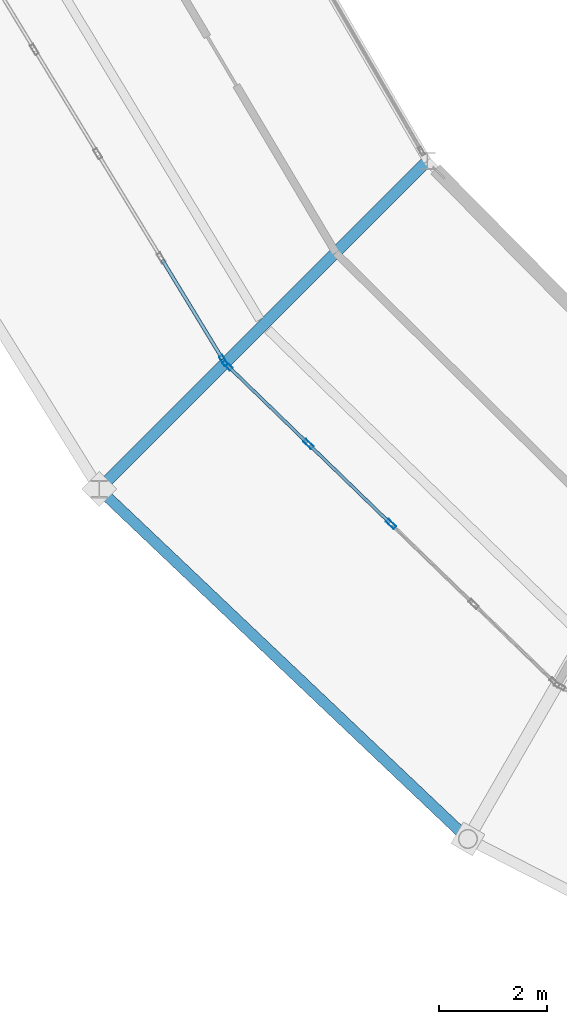
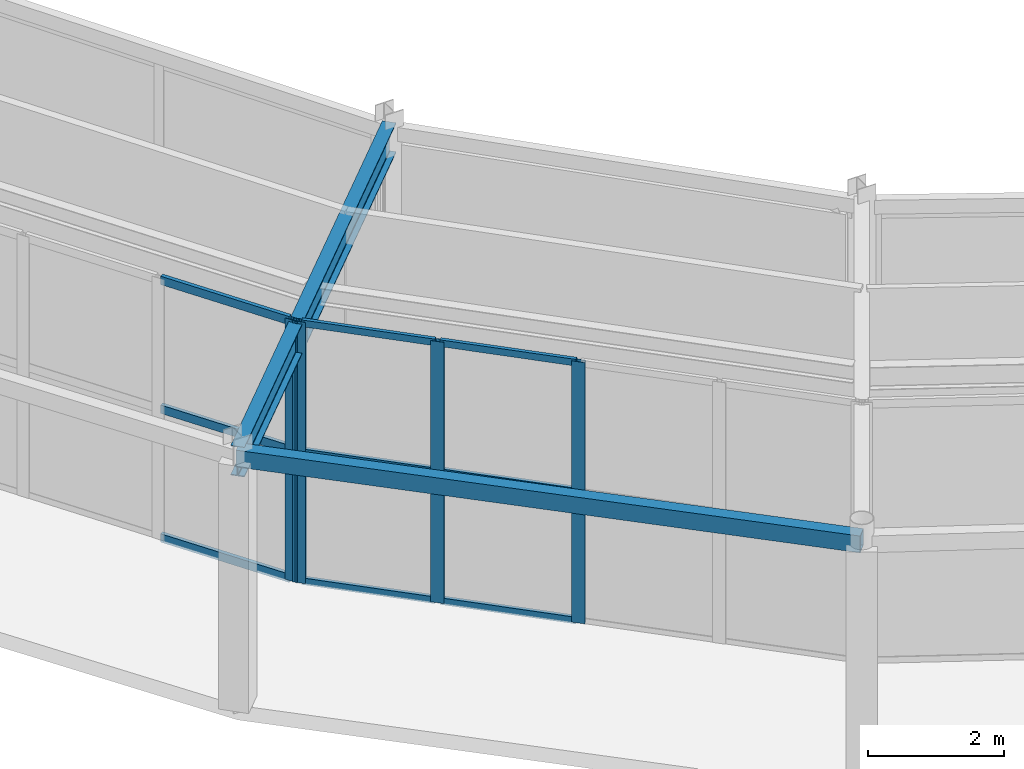
# One storey, part 26 of 144: 13 members, 2 beams, 2 elements without a shape of their own.
"""IFC4 building model written with IfcOpenShell, lengths in metres."""

from ifc_helpers import new_model, si_unit, direction, frame, origin, origin_2d, place, context, subcontext, project, spatial, hollow_rectangle, i_section, extrude, material, material_profile, profile_set, type_object, element, aggregate, save


model = new_model("IFC4")

# Units and contexts
model_context = context("Model", 3, precision=1e-05, world=origin(), true_north=direction((0.0, 1.0)))
body_context = subcontext(model_context, "Body", "Model", "MODEL_VIEW")
ifc_project = project(units=[si_unit("LENGTHUNIT", "METRE"), si_unit("AREAUNIT", "SQUARE_METRE"), si_unit("VOLUMEUNIT", "CUBIC_METRE"), si_unit("PLANEANGLEUNIT", "RADIAN"), si_unit("MASSUNIT", "GRAM", prefix="KILO")], contexts=[model_context])

# Site, building, storey
site_placement = place(None, origin())
site = spatial("IfcSite", under=ifc_project, at=site_placement, CompositionType="ELEMENT")
building_placement = place(site_placement, origin())
building = spatial("IfcBuilding", under=site, at=building_placement, Name="Karori Crest Natural Sciences Institute", CompositionType="ELEMENT")
storey_placement = place(building_placement, origin())
storey = spatial("IfcBuildingStorey", under=building, at=storey_placement, Name="L00", CompositionType="ELEMENT", Elevation=0.0)

# Beams
ifc_material_1 = material(Name="Structural steel AS/NZS 3679.1 Grade 350", Category="steel")
ifc_material_profile_1 = material_profile(ifc_material_1, i_section(OverallWidth=0.208984375, OverallDepth=0.532958984375, WebThickness=0.01025390625, FlangeThickness=0.015625, FilletRadius=0.013916015625, at=origin_2d()), Name="530UB92.4")
ifc_profile_set_1 = profile_set([ifc_material_profile_1], Name="Structural steel AS/NZS 3679.1 Grade 350")
beam_type_1 = type_object("IfcBeamType", Name="BT-05", PredefinedType="BEAM", material=ifc_profile_set_1)
beam_1_placement = place(storey_placement, frame((49.146484375, 27.131103515625, 4.37353515625), z_axis=(-0.707106781187, -0.707106781187, 0.0), x_axis=(0.707106781187, -0.707106781187, 0.0)))
element("IfcBeam", 1, at=beam_1_placement, inside=storey, type_object=beam_type_1, Name="Beam B-0148", PredefinedType="BEAM", context=body_context, shape_type="SweptSolid", body=[
    extrude(i_section(OverallWidth=0.208984375, OverallDepth=0.532958984375, WebThickness=0.01025390625, FlangeThickness=0.015625, FilletRadius=0.013916015625, at=origin_2d()), origin(), (0.0, 0.0, 1.0), 8.599853515625),
])
ifc_material_2 = material(Name="Hollow structural steel AS/NZS 1163 Grade C350", Category="steel")
ifc_material_profile_2 = material_profile(ifc_material_2, hollow_rectangle(XDim=0.199951171875, YDim=0.300048828125, WallThickness=0.010009765625, at=origin_2d()), Name="RHS300x200x10")
ifc_profile_set_2 = profile_set([ifc_material_profile_2], Name="Hollow structural steel AS/NZS 1163 Grade C350")
beam_type_2 = type_object("IfcBeamType", Name="BT-15", PredefinedType="SPANDREL", material=ifc_profile_set_2)
beam_2_placement = place(storey_placement, frame((43.0654296875, 21.050048828125, 4.489990234375), z_axis=(0.72546900706, -0.688254836376, 0.0), x_axis=(0.688254836376, 0.72546900706, 0.0)))
element("IfcBeam", 2, at=beam_2_placement, inside=storey, type_object=beam_type_2, Name="Beam B-0146", PredefinedType="SPANDREL", context=body_context, shape_type="SweptSolid", body=[
    extrude(hollow_rectangle(XDim=0.199951171875, YDim=0.300048828125, WallThickness=0.010009765625, at=origin_2d()), origin(), (0.0, 0.0, 1.0), 9.420654296875),
])

# Curtain wall, member
ifc_material_3 = material(Name="Anodised architectural aluminium 6063-T6", Category="aluminium")
curtain_wall_type_1 = type_object("IfcCurtainWallType", Name="CWT-05", PredefinedType="NOTDEFINED", material=ifc_material_3)
curtain_wall_1_placement = place(storey_placement, origin())
curtain_wall_1 = element("IfcCurtainWall", 3, at=curtain_wall_1_placement, inside=storey, type_object=curtain_wall_type_1, Name="Curtain wall CW-0018", PredefinedType="NOTDEFINED")
ifc_material_profile_3 = material_profile(ifc_material_3, hollow_rectangle(XDim=0.074951171875, YDim=0.199951171875, WallThickness=0.0048828125, at=origin_2d()), Name="CWM200x75x5")
ifc_profile_set_3 = profile_set([ifc_material_profile_3], Name="Anodised architectural aluminium 6063-T6")
member_type_1 = type_object("IfcMemberType", Name="CWM-02", PredefinedType="MULLION", material=ifc_profile_set_3)
member_1_placement = place(storey_placement, frame((45.369140625, 23.4326171875, 0.0), z_axis=(0.0, 0.0, 1.0), x_axis=(-0.854567337323, -0.519340606905, 0.0)))
member_1 = element("IfcMember", 4, at=member_1_placement, type_object=member_type_1, Name="CW-0018 mullion 1", PredefinedType="MULLION", context=body_context, shape_type="SweptSolid", body=[
    extrude(hollow_rectangle(XDim=0.074951171875, YDim=0.199951171875, WallThickness=0.0048828125, at=origin_2d()), origin(), (0.0, 0.0, 1.0), 4.679931640625),
])

# Curtain wall, members
curtain_wall_type_2 = type_object("IfcCurtainWallType", Name="CWT-06", PredefinedType="NOTDEFINED", material=ifc_material_3)
curtain_wall_2_placement = place(storey_placement, origin())
curtain_wall_2 = element("IfcCurtainWall", 5, at=curtain_wall_2_placement, inside=storey, type_object=curtain_wall_type_2, Name="Curtain wall CW-0020", PredefinedType="NOTDEFINED")
member_2_placement = place(storey_placement, frame((48.474365234375, 20.40380859375, 0.0), z_axis=(0.0, 0.0, 1.0), x_axis=(-0.695838899401, -0.718197901752, 0.0)))
member_2 = element("IfcMember", 6, at=member_2_placement, type_object=member_type_1, Name="CW-0020 mullion 3", PredefinedType="MULLION", context=body_context, shape_type="SweptSolid", body=[
    extrude(hollow_rectangle(XDim=0.074951171875, YDim=0.199951171875, WallThickness=0.0048828125, at=origin_2d()), origin(), (0.0, 0.0, 1.0), 4.679931640625),
])
member_3_placement = place(storey_placement, frame((46.94384765625, 21.88671875, 0.0), z_axis=(0.0, 0.0, 1.0), x_axis=(-0.695838899401, -0.718197901752, 0.0)))
member_3 = element("IfcMember", 7, at=member_3_placement, type_object=member_type_1, Name="CW-0020 mullion 4", PredefinedType="MULLION", context=body_context, shape_type="SweptSolid", body=[
    extrude(hollow_rectangle(XDim=0.074951171875, YDim=0.199951171875, WallThickness=0.0048828125, at=origin_2d()), origin(), (0.0, 0.0, 1.0), 4.679931640625),
])
member_4_placement = place(storey_placement, frame((45.440185546875, 23.343505859375, 0.0), z_axis=(0.0, 0.0, 1.0), x_axis=(-0.695838899401, -0.718197901752, 0.0)))
member_4 = element("IfcMember", 8, at=member_4_placement, type_object=member_type_1, Name="CW-0020 mullion 5", PredefinedType="MULLION", context=body_context, shape_type="SweptSolid", body=[
    extrude(hollow_rectangle(XDim=0.074951171875, YDim=0.199951171875, WallThickness=0.0048828125, at=origin_2d()), origin(), (0.0, 0.0, 1.0), 4.679931640625),
])
ifc_material_profile_4 = material_profile(ifc_material_3, hollow_rectangle(XDim=0.06005859375, YDim=0.1201171875, WallThickness=0.00390625, at=origin_2d()), Name="CWT120x60x4")
ifc_profile_set_4 = profile_set([ifc_material_profile_4], Name="Anodised architectural aluminium 6063-T6")
member_type_2 = type_object("IfcMemberType", Name="CWT-TR1", PredefinedType="USERDEFINED", material=ifc_profile_set_4)
member_5_placement = place(storey_placement, frame((48.447509765625, 20.429931640625, 0.030029296875), z_axis=(-0.71823836846, 0.695797129968, 0.0), x_axis=(-0.695797129968, -0.71823836846, 0.0)))
member_5 = element("IfcMember", 9, at=member_5_placement, type_object=member_type_2, Name="CW-0020 transom 3.1", ObjectType="TRANSOM", PredefinedType="USERDEFINED", context=body_context, shape_type="SweptSolid", body=[
    extrude(hollow_rectangle(XDim=0.06005859375, YDim=0.1201171875, WallThickness=0.00390625, at=origin_2d()), origin(), (0.0, 0.0, 1.0), 2.05615234375),
])
member_6_placement = place(storey_placement, frame((48.447509765625, 20.429931640625, 2.340087890625), z_axis=(-0.71823836846, 0.695797129968, 0.0), x_axis=(-0.695797129968, -0.71823836846, 0.0)))
member_6 = element("IfcMember", 10, at=member_6_placement, type_object=member_type_2, Name="CW-0020 transom 3.2", ObjectType="TRANSOM", PredefinedType="USERDEFINED", context=body_context, shape_type="SweptSolid", body=[
    extrude(hollow_rectangle(XDim=0.06005859375, YDim=0.1201171875, WallThickness=0.00390625, at=origin_2d()), origin(), (0.0, 0.0, 1.0), 2.05615234375),
])
member_7_placement = place(storey_placement, frame((48.447509765625, 20.429931640625, 4.64990234375), z_axis=(-0.71823836846, 0.695797129968, 0.0), x_axis=(-0.695797129968, -0.71823836846, 0.0)))
member_7 = element("IfcMember", 11, at=member_7_placement, type_object=member_type_2, Name="CW-0020 transom 3.3", ObjectType="TRANSOM", PredefinedType="USERDEFINED", context=body_context, shape_type="SweptSolid", body=[
    extrude(hollow_rectangle(XDim=0.06005859375, YDim=0.1201171875, WallThickness=0.00390625, at=origin_2d()), origin(), (0.0, 0.0, 1.0), 2.05615234375),
])
member_8_placement = place(storey_placement, frame((46.9169921875, 21.912841796875, 0.030029296875), z_axis=(-0.718206221639, 0.695830312073, 0.0), x_axis=(-0.695830312073, -0.718206221639, 0.0)))
member_8 = element("IfcMember", 12, at=member_8_placement, type_object=member_type_2, Name="CW-0020 transom 4.1", ObjectType="TRANSOM", PredefinedType="USERDEFINED", context=body_context, shape_type="SweptSolid", body=[
    extrude(hollow_rectangle(XDim=0.06005859375, YDim=0.1201171875, WallThickness=0.00390625, at=origin_2d()), origin(), (0.0, 0.0, 1.0), 2.0185546875),
])
member_9_placement = place(storey_placement, frame((46.9169921875, 21.912841796875, 2.340087890625), z_axis=(-0.718206221639, 0.695830312073, 0.0), x_axis=(-0.695830312073, -0.718206221639, 0.0)))
member_9 = element("IfcMember", 13, at=member_9_placement, type_object=member_type_2, Name="CW-0020 transom 4.2", ObjectType="TRANSOM", PredefinedType="USERDEFINED", context=body_context, shape_type="SweptSolid", body=[
    extrude(hollow_rectangle(XDim=0.06005859375, YDim=0.1201171875, WallThickness=0.00390625, at=origin_2d()), origin(), (0.0, 0.0, 1.0), 2.0185546875),
])
member_10_placement = place(storey_placement, frame((46.9169921875, 21.912841796875, 4.64990234375), z_axis=(-0.718206221639, 0.695830312073, 0.0), x_axis=(-0.695830312073, -0.718206221639, 0.0)))
member_10 = element("IfcMember", 14, at=member_10_placement, type_object=member_type_2, Name="CW-0020 transom 4.3", ObjectType="TRANSOM", PredefinedType="USERDEFINED", context=body_context, shape_type="SweptSolid", body=[
    extrude(hollow_rectangle(XDim=0.06005859375, YDim=0.1201171875, WallThickness=0.00390625, at=origin_2d()), origin(), (0.0, 0.0, 1.0), 2.0185546875),
])
aggregate(curtain_wall_2, [member_2, member_3, member_4, member_5, member_6, member_7, member_8, member_9, member_10])

# Member
ifc_material_profile_5 = material_profile(ifc_material_3, hollow_rectangle(XDim=0.06494140625, YDim=0.14990234375, WallThickness=0.00390625, at=origin_2d()), Name="CWT150x65x4")
ifc_profile_set_5 = profile_set([ifc_material_profile_5], Name="Anodised architectural aluminium 6063-T6")
member_type_3 = type_object("IfcMemberType", Name="CWT-TR2", PredefinedType="USERDEFINED", material=ifc_profile_set_5)
member_11_placement = place(storey_placement, frame((45.349609375, 23.464599609375, 0.032470703125), z_axis=(-0.519381148142, 0.854542698146, 0.0), x_axis=(-0.854542698146, -0.519381148142, 0.0)))
member_11 = element("IfcMember", 15, at=member_11_placement, type_object=member_type_3, Name="CW-0018 transom 1.1", ObjectType="TRANSOM", PredefinedType="USERDEFINED", context=body_context, shape_type="SweptSolid", body=[
    extrude(hollow_rectangle(XDim=0.06494140625, YDim=0.14990234375, WallThickness=0.00390625, at=origin_2d()), origin(), (0.0, 0.0, 1.0), 2.149658203125),
])

member_12_placement = place(storey_placement, frame((45.349609375, 23.464599609375, 2.340087890625), z_axis=(-0.519381148142, 0.854542698146, 0.0), x_axis=(-0.854542698146, -0.519381148142, 0.0)))
member_12 = element("IfcMember", 16, at=member_12_placement, type_object=member_type_3, Name="CW-0018 transom 1.2", ObjectType="TRANSOM", PredefinedType="USERDEFINED", context=body_context, shape_type="SweptSolid", body=[
    extrude(hollow_rectangle(XDim=0.06494140625, YDim=0.14990234375, WallThickness=0.00390625, at=origin_2d()), origin(), (0.0, 0.0, 1.0), 2.149658203125),
])

member_13_placement = place(storey_placement, frame((45.349609375, 23.464599609375, 4.6474609375), z_axis=(-0.519381148142, 0.854542698146, 0.0), x_axis=(-0.854542698146, -0.519381148142, 0.0)))
member_13 = element("IfcMember", 17, at=member_13_placement, type_object=member_type_3, Name="CW-0018 transom 1.3", ObjectType="TRANSOM", PredefinedType="USERDEFINED", context=body_context, shape_type="SweptSolid", body=[
    extrude(hollow_rectangle(XDim=0.06494140625, YDim=0.14990234375, WallThickness=0.00390625, at=origin_2d()), origin(), (0.0, 0.0, 1.0), 2.149658203125),
])

aggregate(curtain_wall_1, [member_1, member_11, member_12, member_13])

save(model, "model.ifc")
